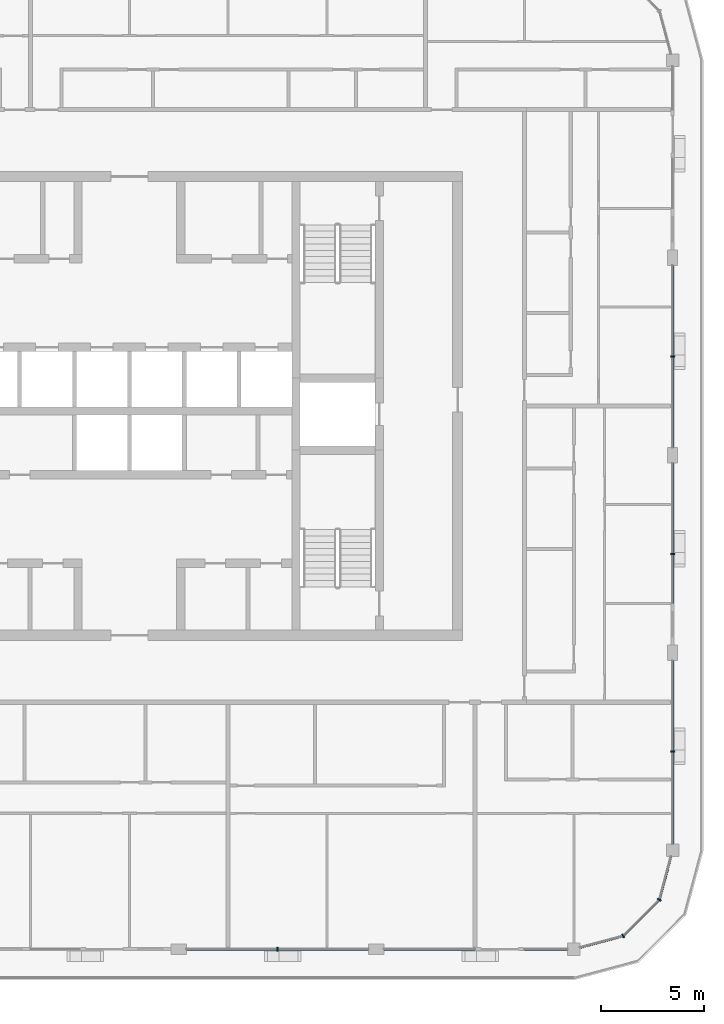
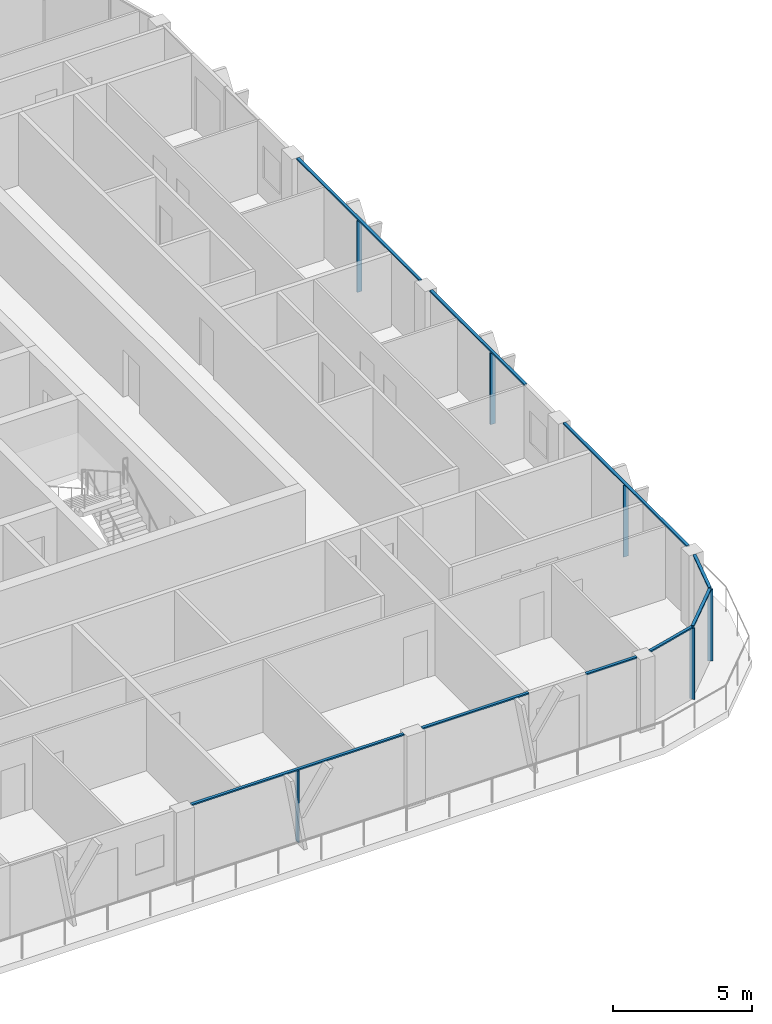
# One storey, part 4 of 22: 15 members, 6 elements without a shape of their own.
"""IFC4 building model written with IfcOpenShell, lengths in metres."""

from ifc_helpers import new_model, si_unit, direction, frame, origin, origin_2d, place, context, subcontext, project, spatial, rectangle, extrude, material, layer, layer_set, material_profile, profile_set, type_object, element, aggregate, save


model = new_model("IFC4")

# Units and contexts
model_context = context("Model", 3, precision=1e-05, world=origin(), true_north=direction((0.0, 1.0)))
body_context = subcontext(model_context, "Body", "Model", "MODEL_VIEW")
ifc_project = project(units=[si_unit("LENGTHUNIT", "METRE"), si_unit("AREAUNIT", "SQUARE_METRE"), si_unit("VOLUMEUNIT", "CUBIC_METRE"), si_unit("PLANEANGLEUNIT", "RADIAN"), si_unit("MASSUNIT", "GRAM", prefix="KILO")], contexts=[model_context])

# Site, building, storey
site_placement = place(None, origin())
site = spatial("IfcSite", under=ifc_project, at=site_placement, CompositionType="ELEMENT")
building_placement = place(site_placement, origin())
building = spatial("IfcBuilding", under=site, at=building_placement, Name="Madar Terraces", CompositionType="ELEMENT")
storey_placement = place(building_placement, frame((0.0, 0.0, 282.60009765625)))
storey = spatial("IfcBuildingStorey", under=building, at=storey_placement, Name="L74", CompositionType="ELEMENT", Elevation=282.60009765625)

# Curtain wall, member
ifc_material_1 = material(Name="Glass, ceramic frit dark grey, with black aluminium frame", Category="aluminium")
ifc_layer = layer(ifc_material_1, 0.199951171875)
ifc_layer_set = layer_set([ifc_layer], Name="Facade curtain wall, fritted glass")
curtain_wall_type = type_object("IfcCurtainWallType", Name="Facade curtain wall, fritted glass", PredefinedType="NOTDEFINED", material=ifc_layer_set)
curtain_wall_1_placement = place(storey_placement, origin())
curtain_wall_1 = element("IfcCurtainWall", 1, at=curtain_wall_1_placement, inside=storey, type_object=curtain_wall_type, Name="Outer skin curtain wall south bay 4", PredefinedType="NOTDEFINED")
ifc_material_2 = material(Name="Aluminium, black anodised", Category="aluminium")
ifc_material_profile_1 = material_profile(ifc_material_2, rectangle(XDim=0.199951171875, YDim=0.06005859375, at=origin_2d()), Name="Facade mullion 60x200")
ifc_profile_set_1 = profile_set([ifc_material_profile_1], Name="Aluminium, black anodised")
member_type_1 = type_object("IfcMemberType", Name="Facade mullion 60x200", PredefinedType="MULLION", material=ifc_profile_set_1)
member_1_placement = place(storey_placement, frame((38.39990234375, 0.0, 0.0), z_axis=(0.0, 0.0, 1.0), x_axis=(0.0, 1.0, 0.0)))
member_1 = element("IfcMember", 2, at=member_1_placement, type_object=member_type_1, Name="Mullion 1", PredefinedType="MULLION", context=body_context, shape_type="SweptSolid", body=[
    extrude(rectangle(XDim=0.199951171875, YDim=0.06005859375, at=origin_2d()), origin(), (0.0, 0.0, 1.0), 3.139892578125),
])

curtain_wall_2_placement = place(storey_placement, origin())
curtain_wall_2 = element("IfcCurtainWall", 3, at=curtain_wall_2_placement, inside=storey, type_object=curtain_wall_type, Name="Outer skin curtain wall east bay 1", PredefinedType="NOTDEFINED")
member_2_placement = place(storey_placement, frame((57.60009765625, 9.60009765625, 0.0), z_axis=(0.0, 0.0, 1.0), x_axis=(-1.0, 0.0, 0.0)))
member_2 = element("IfcMember", 4, at=member_2_placement, type_object=member_type_1, Name="Mullion 1", PredefinedType="MULLION", context=body_context, shape_type="SweptSolid", body=[
    extrude(rectangle(XDim=0.199951171875, YDim=0.06005859375, at=origin_2d()), origin(), (0.0, 0.0, 1.0), 3.139892578125),
])

curtain_wall_3_placement = place(storey_placement, origin())
curtain_wall_3 = element("IfcCurtainWall", 5, at=curtain_wall_3_placement, inside=storey, type_object=curtain_wall_type, Name="Outer skin curtain wall east bay 2", PredefinedType="NOTDEFINED")
member_3_placement = place(storey_placement, frame((57.60009765625, 19.199951171875, 0.0), z_axis=(0.0, 0.0, 1.0), x_axis=(-1.0, 0.0, 0.0)))
member_3 = element("IfcMember", 6, at=member_3_placement, type_object=member_type_1, Name="Mullion 1", PredefinedType="MULLION", context=body_context, shape_type="SweptSolid", body=[
    extrude(rectangle(XDim=0.199951171875, YDim=0.06005859375, at=origin_2d()), origin(), (0.0, 0.0, 1.0), 3.139892578125),
])

curtain_wall_4_placement = place(storey_placement, origin())
curtain_wall_4 = element("IfcCurtainWall", 7, at=curtain_wall_4_placement, inside=storey, type_object=curtain_wall_type, Name="Outer skin curtain wall east bay 3", PredefinedType="NOTDEFINED")
member_4_placement = place(storey_placement, frame((57.60009765625, 28.800048828125, 0.0), z_axis=(0.0, 0.0, 1.0), x_axis=(-1.0, 0.0, 0.0)))
member_4 = element("IfcMember", 8, at=member_4_placement, type_object=member_type_1, Name="Mullion 1", PredefinedType="MULLION", context=body_context, shape_type="SweptSolid", body=[
    extrude(rectangle(XDim=0.199951171875, YDim=0.06005859375, at=origin_2d()), origin(), (0.0, 0.0, 1.0), 3.139892578125),
])

# Curtain wall, members
curtain_wall_5_placement = place(storey_placement, origin())
curtain_wall_5 = element("IfcCurtainWall", 9, at=curtain_wall_5_placement, inside=storey, type_object=curtain_wall_type, Name="Outer skin curtain wall south-east corner", PredefinedType="NOTDEFINED")
member_5_placement = place(storey_placement, frame((55.199951171875, 0.64306640625, 0.0), z_axis=(0.0, 0.0, 1.0), x_axis=(-0.499999989586, 0.866025409797, 0.0)))
member_5 = element("IfcMember", 10, at=member_5_placement, type_object=member_type_1, Name="Mullion 1", PredefinedType="MULLION", context=body_context, shape_type="SweptSolid", body=[
    extrude(rectangle(XDim=0.199951171875, YDim=0.06005859375, at=origin_2d()), origin(), (0.0, 0.0, 1.0), 3.139892578125),
])
member_6_placement = place(storey_placement, frame((56.95703125, 2.39990234375, 0.0), z_axis=(0.0, 0.0, 1.0), x_axis=(-0.866025409797, 0.499999989586, 0.0)))
member_6 = element("IfcMember", 11, at=member_6_placement, type_object=member_type_1, Name="Mullion 2", PredefinedType="MULLION", context=body_context, shape_type="SweptSolid", body=[
    extrude(rectangle(XDim=0.199951171875, YDim=0.06005859375, at=origin_2d()), origin(), (0.0, 0.0, 1.0), 3.139892578125),
])

# Member
ifc_material_3 = material(Name="Aluminium, black anodised", Category="aluminium")
ifc_material_profile_2 = material_profile(ifc_material_3, rectangle(XDim=0.1201171875, YDim=0.06005859375, at=origin_2d()), Name="Facade transom 60x120")
ifc_profile_set_2 = profile_set([ifc_material_profile_2], Name="Aluminium, black anodised")
member_type_2 = type_object("IfcMemberType", Name="Facade transom 60x120", PredefinedType="USERDEFINED", material=ifc_profile_set_2)
member_7_placement = place(storey_placement, frame((33.97509765625, 0.0, 3.169921875), z_axis=(1.0, 0.0, 0.0), x_axis=(0.0, 1.0, 0.0)))
member_7 = element("IfcMember", 12, at=member_7_placement, type_object=member_type_2, Name="Transom 1", ObjectType="TRANSOM", PredefinedType="USERDEFINED", context=body_context, shape_type="SweptSolid", body=[
    extrude(rectangle(XDim=0.1201171875, YDim=0.06005859375, at=origin_2d()), origin(), (0.0, 0.0, 1.0), 8.849853515625),
])

aggregate(curtain_wall_1, [member_1, member_7])

# Curtain wall, members
curtain_wall_6_placement = place(storey_placement, origin())
curtain_wall_6 = element("IfcCurtainWall", 13, at=curtain_wall_6_placement, inside=storey, type_object=curtain_wall_type, Name="Outer skin curtain wall south bay 5", PredefinedType="NOTDEFINED")
member_8_placement = place(storey_placement, frame((43.574951171875, 0.0, 3.169921875), z_axis=(1.0, 0.0, 0.0), x_axis=(0.0, 1.0, 0.0)))
member_8 = element("IfcMember", 14, at=member_8_placement, type_object=member_type_2, Name="Transom 1", ObjectType="TRANSOM", PredefinedType="USERDEFINED", context=body_context, shape_type="SweptSolid", body=[
    extrude(rectangle(XDim=0.1201171875, YDim=0.06005859375, at=origin_2d()), origin(), (0.0, 0.0, 1.0), 4.425048828125),
])
member_9_placement = place(storey_placement, frame((50.39990234375, 0.0, 3.169921875), z_axis=(1.0, 0.0, 0.0), x_axis=(0.0, 1.0, 0.0)))
member_9 = element("IfcMember", 15, at=member_9_placement, type_object=member_type_2, Name="Transom 2", ObjectType="TRANSOM", PredefinedType="USERDEFINED", context=body_context, shape_type="SweptSolid", body=[
    extrude(rectangle(XDim=0.1201171875, YDim=0.06005859375, at=origin_2d()), origin(), (0.0, 0.0, 1.0), 2.10009765625),
])
aggregate(curtain_wall_6, [member_8, member_9])

# Member
member_10_placement = place(storey_placement, frame((57.60009765625, 5.10009765625, 3.169921875), z_axis=(0.0, 1.0, 0.0), x_axis=(-1.0, 0.0, 0.0)))
member_10 = element("IfcMember", 16, at=member_10_placement, type_object=member_type_2, Name="Transom 1", ObjectType="TRANSOM", PredefinedType="USERDEFINED", context=body_context, shape_type="SweptSolid", body=[
    extrude(rectangle(XDim=0.1201171875, YDim=0.06005859375, at=origin_2d()), origin(), (0.0, 0.0, 1.0), 8.9248046875),
])

aggregate(curtain_wall_2, [member_2, member_10])

member_11_placement = place(storey_placement, frame((57.60009765625, 16.800048828125, 3.169921875), z_axis=(0.0, 1.0, 0.0), x_axis=(-1.0, 0.0, 0.0)))
member_11 = element("IfcMember", 17, at=member_11_placement, type_object=member_type_2, Name="Transom 1", ObjectType="TRANSOM", PredefinedType="USERDEFINED", context=body_context, shape_type="SweptSolid", body=[
    extrude(rectangle(XDim=0.1201171875, YDim=0.06005859375, at=origin_2d()), origin(), (0.0, 0.0, 1.0), 6.824951171875),
])

aggregate(curtain_wall_3, [member_3, member_11])

member_12_placement = place(storey_placement, frame((57.60009765625, 24.375, 3.169921875), z_axis=(0.0, 1.0, 0.0), x_axis=(-1.0, 0.0, 0.0)))
member_12 = element("IfcMember", 18, at=member_12_placement, type_object=member_type_2, Name="Transom 1", ObjectType="TRANSOM", PredefinedType="USERDEFINED", context=body_context, shape_type="SweptSolid", body=[
    extrude(rectangle(XDim=0.1201171875, YDim=0.06005859375, at=origin_2d()), origin(), (0.0, 0.0, 1.0), 8.85009765625),
])

aggregate(curtain_wall_4, [member_4, member_12])

member_13_placement = place(storey_placement, frame((53.10009765625, 0.080322265625, 3.169921875), z_axis=(0.965926196336, 0.258817664066, 0.0), x_axis=(-0.258817664066, 0.965926196336, 0.0)))
member_13 = element("IfcMember", 19, at=member_13_placement, type_object=member_type_2, Name="Transom 1", ObjectType="TRANSOM", PredefinedType="USERDEFINED", context=body_context, shape_type="SweptSolid", body=[
    extrude(rectangle(XDim=0.1201171875, YDim=0.06005859375, at=origin_2d()), origin(), (0.0, 0.0, 1.0), 2.14404296875),
])

member_14_placement = place(storey_placement, frame((55.22119140625, 0.664306640625, 3.169921875), z_axis=(0.707106781187, 0.707106781187, 0.0), x_axis=(-0.707106781187, 0.707106781187, 0.0)))
member_14 = element("IfcMember", 20, at=member_14_placement, type_object=member_type_2, Name="Transom 2", ObjectType="TRANSOM", PredefinedType="USERDEFINED", context=body_context, shape_type="SweptSolid", body=[
    extrude(rectangle(XDim=0.1201171875, YDim=0.06005859375, at=origin_2d()), origin(), (0.0, 0.0, 1.0), 2.4248046875),
])

member_15_placement = place(storey_placement, frame((56.964599609375, 2.428955078125, 3.169921875), z_axis=(0.258817664066, 0.965926196336, 0.0), x_axis=(-0.965926196336, 0.258817664066, 0.0)))
member_15 = element("IfcMember", 21, at=member_15_placement, type_object=member_type_2, Name="Transom 3", ObjectType="TRANSOM", PredefinedType="USERDEFINED", context=body_context, shape_type="SweptSolid", body=[
    extrude(rectangle(XDim=0.1201171875, YDim=0.06005859375, at=origin_2d()), origin(), (0.0, 0.0, 1.0), 2.14404296875),
])

aggregate(curtain_wall_5, [member_5, member_13, member_6, member_14, member_15])

save(model, "model.ifc")
